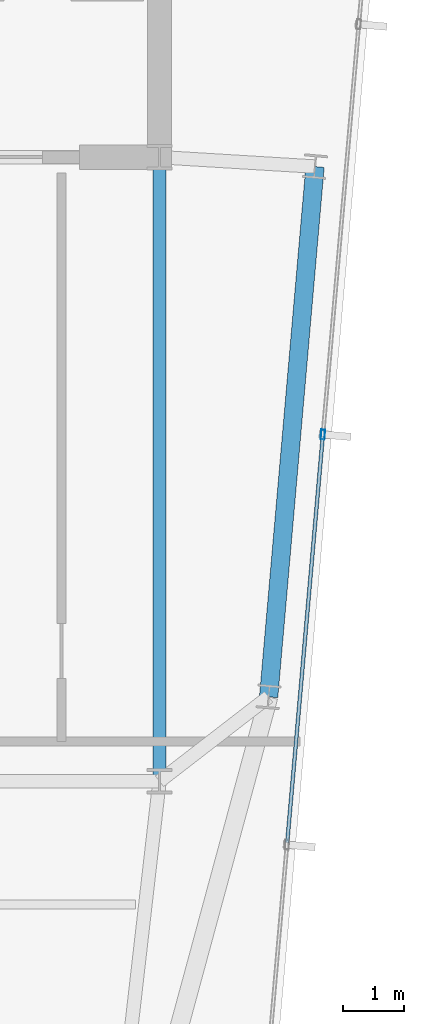
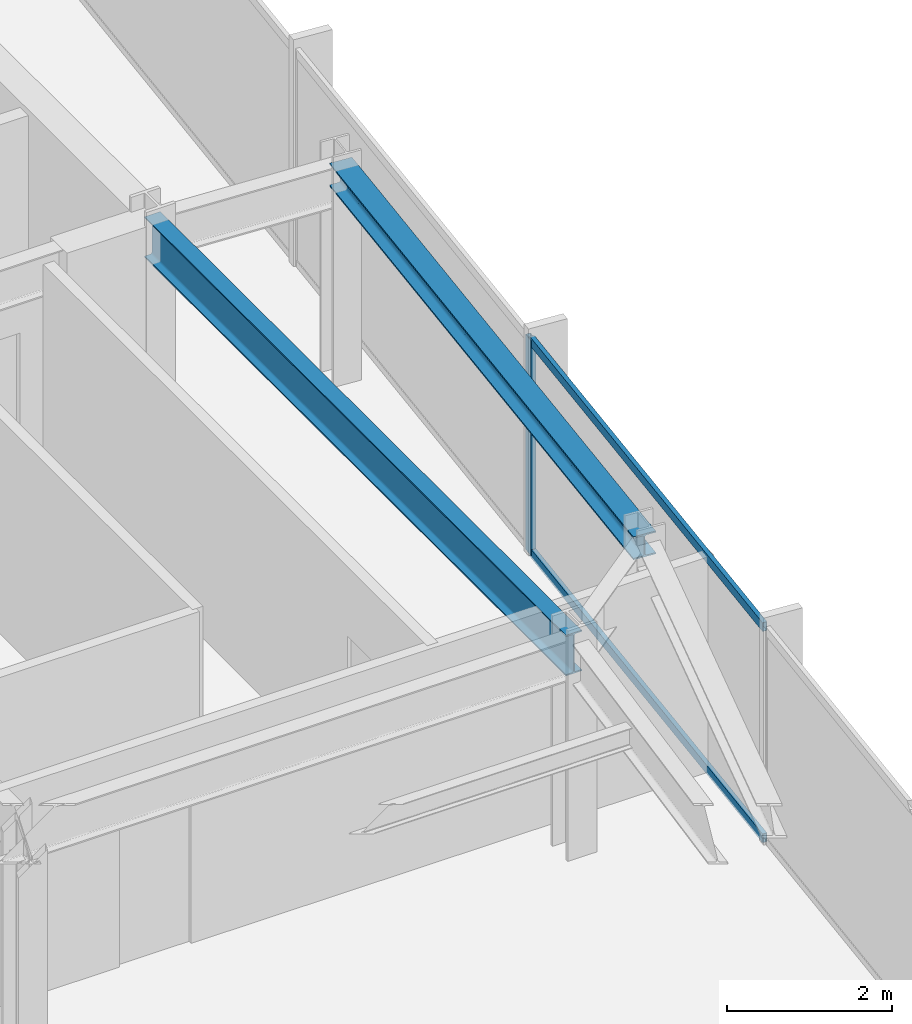
# One storey, part 17 of 32: 3 members, 2 beams, 1 element without a shape of its own.
"""IFC4 building model written with IfcOpenShell, lengths in metres."""

from ifc_helpers import new_model, si_unit, direction, frame, origin, origin_2d, place, context, subcontext, project, spatial, hollow_rectangle, i_section, extrude, material, material_profile, profile_set, type_object, element, aggregate, save


model = new_model("IFC4")

# Units and contexts
model_context = context("Model", 3, precision=1e-05, world=origin(), true_north=direction((0.0, 1.0)))
body_context = subcontext(model_context, "Body", "Model", "MODEL_VIEW")
ifc_project = project(units=[si_unit("LENGTHUNIT", "METRE"), si_unit("AREAUNIT", "SQUARE_METRE"), si_unit("VOLUMEUNIT", "CUBIC_METRE"), si_unit("PLANEANGLEUNIT", "RADIAN"), si_unit("MASSUNIT", "GRAM", prefix="KILO")], contexts=[model_context])

# Site, building, storey
site_placement = place(None, origin())
site = spatial("IfcSite", under=ifc_project, at=site_placement, CompositionType="ELEMENT")
building_placement = place(site_placement, origin())
building = spatial("IfcBuilding", under=site, at=building_placement, Name="Yelkora Congress Tower", CompositionType="ELEMENT")
storey_placement = place(building_placement, frame((0.0, 0.0, 259.10009765625)))
storey = spatial("IfcBuildingStorey", under=building, at=storey_placement, Name="L72", CompositionType="ELEMENT", Elevation=259.10009765625)

# Beams
ifc_material_1 = material(Name="Steel S355J2", Category="steel")
ifc_material_profile_1 = material_profile(ifc_material_1, i_section(OverallWidth=0.219970703125, OverallDepth=0.60009765625, WebThickness=0.011962890625, FlangeThickness=0.01904296875, FilletRadius=0.02392578125, at=origin_2d()), Name="IPE 600")
ifc_profile_set_1 = profile_set([ifc_material_profile_1], Name="Steel S355J2")
beam_type_1 = type_object("IfcBeamType", Name="BM-GIRD-IPE600", PredefinedType="BEAM", material=ifc_profile_set_1)
beam_1_placement = place(storey_placement, frame((53.760009765625, 25.199951171875, 2.8798828125), z_axis=(0.0, 1.0, 0.0), x_axis=(-1.0, 0.0, 0.0)))
element("IfcBeam", 1, at=beam_1_placement, inside=storey, type_object=beam_type_1, Name="L72 Core Tie Girder MC-D5", PredefinedType="BEAM", context=body_context, shape_type="SweptSolid", body=[
    extrude(i_section(OverallWidth=0.219970703125, OverallDepth=0.60009765625, WebThickness=0.011962890625, FlangeThickness=0.01904296875, FilletRadius=0.02392578125, at=origin_2d()), origin(), (0.0, 0.0, 1.0), 10.199951171875),
])
ifc_material_profile_2 = material_profile(ifc_material_1, i_section(OverallWidth=0.300048828125, OverallDepth=0.340087890625, WebThickness=0.011962890625, FlangeThickness=0.021484375, FilletRadius=0.027099609375, at=origin_2d()), Name="HEB 340")
ifc_profile_set_2 = profile_set([ifc_material_profile_2], Name="Steel S355J2")
beam_type_2 = type_object("IfcBeamType", Name="BM-SPAN-HEB340", PredefinedType="SPANDREL", material=ifc_profile_set_2)
beam_2_placement = place(storey_placement, frame((55.543701171875, 26.57861328125, 3.010009765625), z_axis=(0.08715998813, 0.99619432666, 0.0), x_axis=(-0.99619432666, 0.08715998813, 0.0)))
element("IfcBeam", 2, at=beam_2_placement, inside=storey, type_object=beam_type_2, Name="L72 Perimeter Beam 8", PredefinedType="SPANDREL", context=body_context, shape_type="SweptSolid", body=[
    extrude(i_section(OverallWidth=0.300048828125, OverallDepth=0.340087890625, WebThickness=0.011962890625, FlangeThickness=0.021484375, FilletRadius=0.027099609375, at=origin_2d()), origin(), (0.0, 0.0, 1.0), 8.7001953125),
])

# Curtain wall, members
ifc_material_2 = material(Name="Anodised aluminium and insulated glass", Category="aluminium")
curtain_wall_type = type_object("IfcCurtainWallType", Name="CW-SYS-B5", PredefinedType="NOTDEFINED", material=ifc_material_2)
curtain_wall_placement = place(storey_placement, origin())
curtain_wall = element("IfcCurtainWall", 3, at=curtain_wall_placement, inside=storey, type_object=curtain_wall_type, Name="L72 Unitised Curtain Wall 15", PredefinedType="NOTDEFINED")
ifc_material_3 = material(Name="Anodised aluminium 6063-T6", Category="aluminium")
ifc_material_profile_3 = material_profile(ifc_material_3, hollow_rectangle(XDim=0.06494140625, YDim=0.159912109375, WallThickness=0.00390625, at=origin_2d()), Name="ALU 65x160x4")
ifc_profile_set_3 = profile_set([ifc_material_profile_3], Name="Anodised aluminium 6063-T6")
member_type_1 = type_object("IfcMemberType", Name="MEM-ML-B5", PredefinedType="MULLION", material=ifc_profile_set_3)
member_1_placement = place(storey_placement, frame((56.430908203125, 30.867431640625, 0.0), z_axis=(0.0, 0.0, 1.0), x_axis=(0.996194463398, -0.087158425264, 0.0)))
member_1 = element("IfcMember", 4, at=member_1_placement, type_object=member_type_1, Name="CW-B5 mullion 3", PredefinedType="MULLION", context=body_context, shape_type="SweptSolid", body=[
    extrude(hollow_rectangle(XDim=0.06494140625, YDim=0.159912109375, WallThickness=0.00390625, at=origin_2d()), origin(), (0.0, 0.0, 1.0), 3.179931640625),
])
ifc_material_profile_4 = material_profile(ifc_material_3, hollow_rectangle(XDim=0.06005859375, YDim=0.1298828125, WallThickness=0.00390625, at=origin_2d()), Name="ALU 60x130x4")
ifc_profile_set_4 = profile_set([ifc_material_profile_4], Name="Anodised aluminium 6063-T6")
member_type_2 = type_object("IfcMemberType", Name="MEM-TR-B5", PredefinedType="USERDEFINED", material=ifc_profile_set_4)
member_2_placement = place(storey_placement, frame((56.42822265625, 30.835205078125, 0.02978515625), z_axis=(-0.087179673403, -0.996192604141, 0.0), x_axis=(0.996192604141, -0.087179673403, 0.0)))
member_2 = element("IfcMember", 5, at=member_2_placement, type_object=member_type_2, Name="CW-B5 transom 3.1", ObjectType="TRANSOM", PredefinedType="USERDEFINED", context=body_context, shape_type="SweptSolid", body=[
    extrude(hollow_rectangle(XDim=0.06005859375, YDim=0.1298828125, WallThickness=0.00390625, at=origin_2d()), origin(), (0.0, 0.0, 1.0), 6.6650390625),
])
member_3_placement = place(storey_placement, frame((56.42822265625, 30.835205078125, 3.14990234375), z_axis=(-0.087179673403, -0.996192604141, 0.0), x_axis=(0.996192604141, -0.087179673403, 0.0)))
member_3 = element("IfcMember", 6, at=member_3_placement, type_object=member_type_2, Name="CW-B5 transom 3.2", ObjectType="TRANSOM", PredefinedType="USERDEFINED", context=body_context, shape_type="SweptSolid", body=[
    extrude(hollow_rectangle(XDim=0.06005859375, YDim=0.1298828125, WallThickness=0.00390625, at=origin_2d()), origin(), (0.0, 0.0, 1.0), 6.6650390625),
])
aggregate(curtain_wall, [member_1, member_2, member_3])

save(model, "model.ifc")
